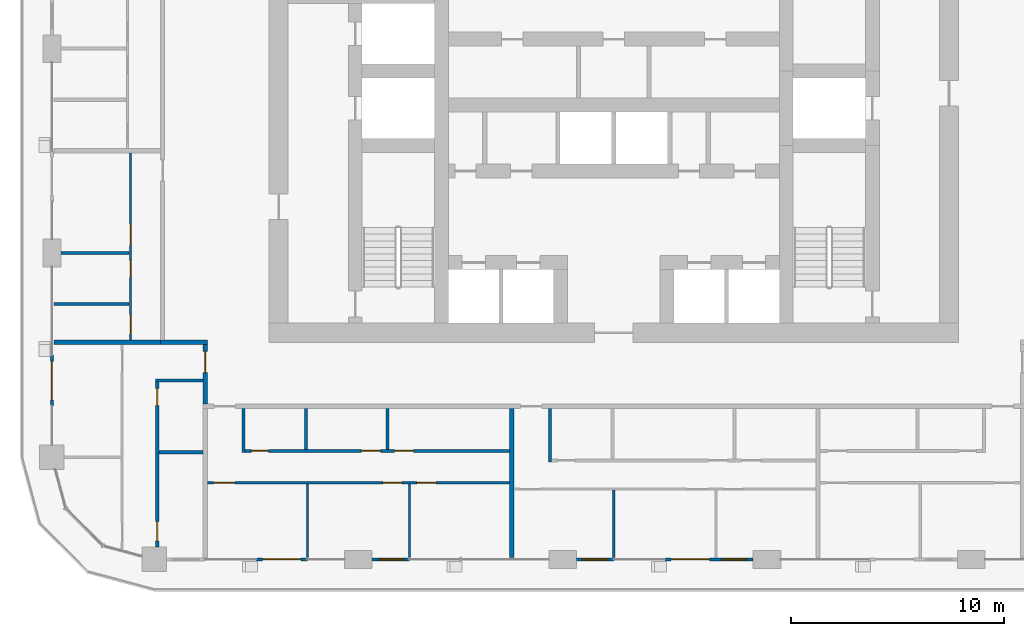
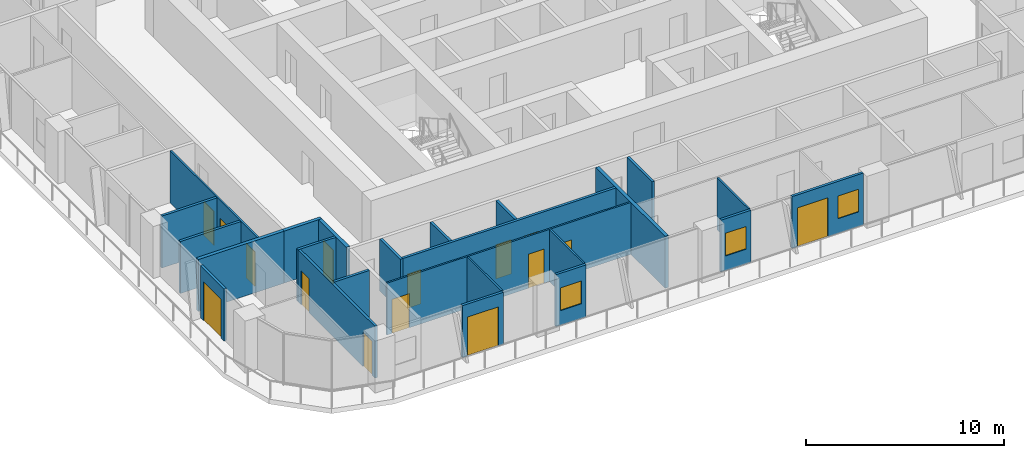
# One storey, part 9 of 22: 24 walls, 15 doors, 3 windows, 18 openings.
"""IFC4 building model written with IfcOpenShell, lengths in metres."""

from ifc_helpers import new_model, si_unit, direction, frame, frame_2d, origin, place, context, subcontext, project, spatial, rectangle, extrude, material, layer, layer_set, type_object, element, fill, save


model = new_model("IFC4")

# Units and contexts
model_context = context("Model", 3, precision=1e-05, world=origin(), true_north=direction((0.0, 1.0)))
body_context = subcontext(model_context, "Body", "Model", "MODEL_VIEW")
ifc_project = project(units=[si_unit("LENGTHUNIT", "METRE"), si_unit("AREAUNIT", "SQUARE_METRE"), si_unit("VOLUMEUNIT", "CUBIC_METRE"), si_unit("PLANEANGLEUNIT", "RADIAN"), si_unit("MASSUNIT", "GRAM", prefix="KILO")], contexts=[model_context])

# Site, building, storey
site_placement = place(None, origin())
site = spatial("IfcSite", under=ifc_project, at=site_placement, CompositionType="ELEMENT")
building_placement = place(site_placement, origin())
building = spatial("IfcBuilding", under=site, at=building_placement, Name="Madar Terraces", CompositionType="ELEMENT")
storey_placement = place(building_placement, frame((0.0, 0.0, 99.699951171875)))
storey = spatial("IfcBuildingStorey", under=building, at=storey_placement, Name="L25", CompositionType="ELEMENT", Elevation=99.699951171875)

# Wall, opening, door
ifc_material_1 = material(Name="Aluminium composite panel, black, over insulated backing", Category="aluminium")
ifc_layer_1 = layer(ifc_material_1, 0.14990234375)
ifc_layer_set_1 = layer_set([ifc_layer_1], Name="Facade bay panel 150")
wall_type_1 = type_object("IfcWallType", Name="Facade bay panel 150", PredefinedType="SOLIDWALL", material=ifc_layer_set_1)
wall_1_placement = place(storey_placement, frame((14.39990234375, 4.800048828125, 0.0), z_axis=(0.0, 0.0, 1.0), x_axis=(1.0, 0.0, 0.0)))
wall_1 = element("IfcWall", 1, at=wall_1_placement, inside=storey, type_object=wall_type_1, Name="Facade bay panel", PredefinedType="SOLIDWALL", context=body_context, shape_type="SweptSolid", body=[
    extrude(rectangle(XDim=2.400146484375, YDim=0.14990234375, at=frame_2d((1.2001953125, 0.0))), origin(), (0.0, 0.0, 1.0), 3.199951171875),
])
opening_1_placement = place(wall_1_placement, frame((0.300048828125, 0.0, 0.0)))
opening_1 = element("IfcOpeningElement", 2, at=opening_1_placement, cuts=wall_1, Name="Opening ED1", PredefinedType="OPENING", context=body_context, shape_type="SweptSolid", body=[
    extrude(rectangle(XDim=1.800048828125, YDim=2.39990234375, at=frame_2d((0.89990234375, 1.199951171875))), frame((0.0, 0.0849609375, 0.0), z_axis=(0.0, -1.0, 0.0), x_axis=(1.0, 0.0, 0.0)), (0.0, 0.0, 1.0), 0.169921875),
])
ifc_material_2 = material(Name="Glass, clear, with black aluminium frame", Category="aluminium")
door_type_1 = type_object("IfcDoorType", Name="Balcony and terrace sliding door 1800 x 2400", OperationType="SLIDING_TO_LEFT", PredefinedType="DOOR", material=ifc_material_2)
door_1_placement = place(opening_1_placement, origin())
door_1 = element("IfcDoor", 3, at=door_1_placement, inside=storey, type_object=door_type_1, Name="Balcony door", OperationType="SLIDING_TO_LEFT", OverallHeight=2.39990234375, OverallWidth=1.800048828125, PredefinedType="DOOR", context=body_context, shape_type="SweptSolid", body=[
    extrude(rectangle(XDim=1.800048828125, YDim=2.39990234375, at=frame_2d((0.89990234375, 1.199951171875))), frame((0.0, 0.02490234375, 0.0), z_axis=(0.0, -1.0, 0.0), x_axis=(1.0, 0.0, 0.0)), (0.0, 0.0, 1.0), 0.050048828125),
])
fill(opening_1, door_1)

# Wall, opening, window
wall_2_placement = place(storey_placement, frame((19.85009765625, 4.800048828125, 0.0), z_axis=(0.0, 0.0, 1.0), x_axis=(1.0, 0.0, 0.0)))
wall_2 = element("IfcWall", 4, at=wall_2_placement, inside=storey, type_object=wall_type_1, Name="Facade bay panel", PredefinedType="SOLIDWALL", context=body_context, shape_type="SweptSolid", body=[
    extrude(rectangle(XDim=1.75, YDim=0.14990234375, at=frame_2d((0.875, 0.0))), origin(), (0.0, 0.0, 1.0), 3.199951171875),
])
opening_2_placement = place(wall_2_placement, frame((0.27490234375, 0.0, 0.89990234375)))
opening_2 = element("IfcOpeningElement", 5, at=opening_2_placement, cuts=wall_2, Name="Opening W1", PredefinedType="OPENING", context=body_context, shape_type="SweptSolid", body=[
    extrude(rectangle(XDim=1.199951171875, YDim=1.39990234375, at=frame_2d((0.60009765625, 0.699951171875))), frame((0.0, 0.0849609375, 0.0), z_axis=(0.0, -1.0, 0.0), x_axis=(1.0, 0.0, 0.0)), (0.0, 0.0, 1.0), 0.169921875),
])
ifc_material_3 = material(Name="Glass, clear, with black aluminium frame", Category="aluminium")
window_type = type_object("IfcWindowType", Name="Vent window 1200 x 1400", PartitioningType="SINGLE_PANEL", PredefinedType="WINDOW", material=ifc_material_3)
window_1_placement = place(opening_2_placement, origin())
window_1 = element("IfcWindow", 6, at=window_1_placement, inside=storey, type_object=window_type, Name="Operable vent window", OverallHeight=1.39990234375, OverallWidth=1.199951171875, PartitioningType="SINGLE_PANEL", PredefinedType="WINDOW", context=body_context, shape_type="SweptSolid", body=[
    extrude(rectangle(XDim=1.199951171875, YDim=1.39990234375, at=frame_2d((0.60009765625, 0.699951171875))), frame((0.0, 0.030029296875, 0.0), z_axis=(0.0, -1.0, 0.0), x_axis=(1.0, 0.0, 0.0)), (0.0, 0.0, 1.0), 0.06005859375),
])
fill(opening_2, window_1)

wall_3_placement = place(storey_placement, frame((29.449951171875, 4.800048828125, 0.0), z_axis=(0.0, 0.0, 1.0), x_axis=(1.0, 0.0, 0.0)))
wall_3 = element("IfcWall", 7, at=wall_3_placement, inside=storey, type_object=wall_type_1, Name="Facade bay panel", PredefinedType="SOLIDWALL", context=body_context, shape_type="SweptSolid", body=[
    extrude(rectangle(XDim=1.75, YDim=0.14990234375, at=frame_2d((0.875, 0.0))), origin(), (0.0, 0.0, 1.0), 3.199951171875),
])
opening_3_placement = place(wall_3_placement, frame((0.27490234375, 0.0, 0.89990234375)))
opening_3 = element("IfcOpeningElement", 8, at=opening_3_placement, cuts=wall_3, Name="Opening W1", PredefinedType="OPENING", context=body_context, shape_type="SweptSolid", body=[
    extrude(rectangle(XDim=1.199951171875, YDim=1.39990234375, at=frame_2d((0.60009765625, 0.699951171875))), frame((0.0, 0.0849609375, 0.0), z_axis=(0.0, -1.0, 0.0), x_axis=(1.0, 0.0, 0.0)), (0.0, 0.0, 1.0), 0.169921875),
])
window_2_placement = place(opening_3_placement, origin())
window_2 = element("IfcWindow", 9, at=window_2_placement, inside=storey, type_object=window_type, Name="Operable vent window", OverallHeight=1.39990234375, OverallWidth=1.199951171875, PartitioningType="SINGLE_PANEL", PredefinedType="WINDOW", context=body_context, shape_type="SweptSolid", body=[
    extrude(rectangle(XDim=1.199951171875, YDim=1.39990234375, at=frame_2d((0.60009765625, 0.699951171875))), frame((0.0, 0.030029296875, 0.0), z_axis=(0.0, -1.0, 0.0), x_axis=(1.0, 0.0, 0.0)), (0.0, 0.0, 1.0), 0.06005859375),
])
fill(opening_3, window_2)

# Wall, openings, door, window
wall_4_placement = place(storey_placement, frame((33.60009765625, 4.800048828125, 0.0), z_axis=(0.0, 0.0, 1.0), x_axis=(1.0, 0.0, 0.0)))
wall_4 = element("IfcWall", 10, at=wall_4_placement, inside=storey, type_object=wall_type_1, Name="Facade bay panel", PredefinedType="SOLIDWALL", context=body_context, shape_type="SweptSolid", body=[
    extrude(rectangle(XDim=4.14990234375, YDim=0.14990234375, at=frame_2d((2.074951171875, 0.0))), origin(), (0.0, 0.0, 1.0), 3.199951171875),
])
opening_4_placement = place(wall_4_placement, frame((0.300048828125, 0.0, 0.0)))
opening_4 = element("IfcOpeningElement", 11, at=opening_4_placement, cuts=wall_4, Name="Opening ED1", PredefinedType="OPENING", context=body_context, shape_type="SweptSolid", body=[
    extrude(rectangle(XDim=1.800048828125, YDim=2.39990234375, at=frame_2d((0.89990234375, 1.199951171875))), frame((0.0, 0.0849609375, 0.0), z_axis=(0.0, -1.0, 0.0), x_axis=(1.0, 0.0, 0.0)), (0.0, 0.0, 1.0), 0.169921875),
])
opening_5_placement = place(wall_4_placement, frame((2.675048828125, 0.0, 0.89990234375)))
opening_5 = element("IfcOpeningElement", 12, at=opening_5_placement, cuts=wall_4, Name="Opening W1", PredefinedType="OPENING", context=body_context, shape_type="SweptSolid", body=[
    extrude(rectangle(XDim=1.199951171875, YDim=1.39990234375, at=frame_2d((0.60009765625, 0.699951171875))), frame((0.0, 0.0849609375, 0.0), z_axis=(0.0, -1.0, 0.0), x_axis=(1.0, 0.0, 0.0)), (0.0, 0.0, 1.0), 0.169921875),
])
door_2_placement = place(opening_4_placement, origin())
door_2 = element("IfcDoor", 13, at=door_2_placement, inside=storey, type_object=door_type_1, Name="Balcony door", OperationType="SLIDING_TO_RIGHT", OverallHeight=2.39990234375, OverallWidth=1.800048828125, PredefinedType="DOOR", context=body_context, shape_type="SweptSolid", body=[
    extrude(rectangle(XDim=1.800048828125, YDim=2.39990234375, at=frame_2d((0.89990234375, 1.199951171875))), frame((0.0, 0.02490234375, 0.0), z_axis=(0.0, -1.0, 0.0), x_axis=(1.0, 0.0, 0.0)), (0.0, 0.0, 1.0), 0.050048828125),
])
fill(opening_4, door_2)
window_3_placement = place(opening_5_placement, origin())
window_3 = element("IfcWindow", 14, at=window_3_placement, inside=storey, type_object=window_type, Name="Operable vent window", OverallHeight=1.39990234375, OverallWidth=1.199951171875, PartitioningType="SINGLE_PANEL", PredefinedType="WINDOW", context=body_context, shape_type="SweptSolid", body=[
    extrude(rectangle(XDim=1.199951171875, YDim=1.39990234375, at=frame_2d((0.60009765625, 0.699951171875))), frame((0.0, 0.030029296875, 0.0), z_axis=(0.0, -1.0, 0.0), x_axis=(1.0, 0.0, 0.0)), (0.0, 0.0, 1.0), 0.06005859375),
])
fill(opening_5, window_3)

# Wall, opening, door
wall_5_placement = place(storey_placement, frame((4.800048828125, 14.39990234375, 0.0), z_axis=(0.0, 0.0, 1.0), x_axis=(0.0, -1.0, 0.0)))
wall_5 = element("IfcWall", 15, at=wall_5_placement, inside=storey, type_object=wall_type_1, Name="Facade bay panel", PredefinedType="SOLIDWALL", context=body_context, shape_type="SweptSolid", body=[
    extrude(rectangle(XDim=2.39990234375, YDim=0.14990234375, at=frame_2d((1.199951171875, 0.0))), origin(), (0.0, 0.0, 1.0), 3.199951171875),
])
opening_6_placement = place(wall_5_placement, frame((0.300048828125, 0.0, 0.0)))
opening_6 = element("IfcOpeningElement", 16, at=opening_6_placement, cuts=wall_5, Name="Opening ED1", PredefinedType="OPENING", context=body_context, shape_type="SweptSolid", body=[
    extrude(rectangle(XDim=1.800048828125, YDim=2.39990234375, at=frame_2d((0.89990234375, 1.199951171875))), frame((0.0, 0.0849609375, 0.0), z_axis=(0.0, -1.0, 0.0), x_axis=(1.0, 0.0, 0.0)), (0.0, 0.0, 1.0), 0.169921875),
])
door_3_placement = place(opening_6_placement, origin())
door_3 = element("IfcDoor", 17, at=door_3_placement, inside=storey, type_object=door_type_1, Name="Balcony door", OperationType="SLIDING_TO_RIGHT", OverallHeight=2.39990234375, OverallWidth=1.800048828125, PredefinedType="DOOR", context=body_context, shape_type="SweptSolid", body=[
    extrude(rectangle(XDim=1.800048828125, YDim=2.39990234375, at=frame_2d((0.89990234375, 1.199951171875))), frame((0.0, 0.02490234375, 0.0), z_axis=(0.0, -1.0, 0.0), x_axis=(1.0, 0.0, 0.0)), (0.0, 0.0, 1.0), 0.050048828125),
])
fill(opening_6, door_3)

# Walls
ifc_material_4 = material(Name="Gypsum board on steel studs", Category="steel")
ifc_layer_2 = layer(ifc_material_4, 0.10009765625)
ifc_layer_set_2 = layer_set([ifc_layer_2], Name="Flat partition 100")
wall_type_2 = type_object("IfcWallType", Name="Flat partition 100", PredefinedType="PARTITIONING", material=ifc_layer_set_2)
for number, where, z_axis, x_axis, name in (
    (18, (16.800048828125, 8.35009765625, 0.0), (0.0, 0.0, 1.0), (0.0, -1.0, 0.0), "Flat partition 100"),
    (19, (21.60009765625, 8.35009765625, 0.0), (0.0, 0.0, 1.0), (0.0, -1.0, 0.0), "Flat partition 100"),
):
    element("IfcWall", number, at=place(storey_placement, frame(where, z_axis=z_axis, x_axis=x_axis)), inside=storey, type_object=wall_type_2, Name=name, PredefinedType="PARTITIONING", context=body_context, shape_type="SweptSolid", body=[
        extrude(rectangle(XDim=3.4501953125, YDim=0.10009765625, at=frame_2d((1.72509765625, 0.0))), origin(), (0.0, 0.0, 1.0), 3.199951171875),
    ])

# Wall, openings, doors
wall_6_placement = place(storey_placement, frame((26.300048828125, 8.39990234375, 0.0), z_axis=(0.0, 0.0, 1.0), x_axis=(-1.0, 0.0, 0.0)))
wall_6 = element("IfcWall", 20, at=wall_6_placement, inside=storey, type_object=wall_type_2, Name="Flat partition 100", PredefinedType="PARTITIONING", context=body_context, shape_type="SweptSolid", body=[
    extrude(rectangle(XDim=14.199951171875, YDim=0.10009765625, at=frame_2d((7.10009765625, 0.0))), origin(), (0.0, 0.0, 1.0), 3.199951171875),
])
opening_7_placement = place(wall_6_placement, frame((12.89990234375, 0.0, 0.0)))
opening_7 = element("IfcOpeningElement", 21, at=opening_7_placement, cuts=wall_6, Name="Opening D3", PredefinedType="OPENING", context=body_context, shape_type="SweptSolid", body=[
    extrude(rectangle(XDim=1.0, YDim=2.10009765625, at=frame_2d((0.5, 1.050048828125))), frame((0.0, 0.06005859375, 0.0), z_axis=(0.0, -1.0, 0.0), x_axis=(1.0, 0.0, 0.0)), (0.0, 0.0, 1.0), 0.1201171875),
])
opening_8_placement = place(wall_6_placement, frame((5.050048828125, 0.0, 0.0)))
opening_8 = element("IfcOpeningElement", 22, at=opening_8_placement, cuts=wall_6, Name="Opening D2", PredefinedType="OPENING", context=body_context, shape_type="SweptSolid", body=[
    extrude(rectangle(XDim=0.89990234375, YDim=2.10009765625, at=frame_2d((0.449951171875, 1.050048828125))), frame((0.0, 0.06005859375, 0.0), z_axis=(0.0, -1.0, 0.0), x_axis=(1.0, 0.0, 0.0)), (0.0, 0.0, 1.0), 0.1201171875),
])
opening_9_placement = place(wall_6_placement, frame((3.449951171875, 0.0, 0.0)))
opening_9 = element("IfcOpeningElement", 23, at=opening_9_placement, cuts=wall_6, Name="Opening D2", PredefinedType="OPENING", context=body_context, shape_type="SweptSolid", body=[
    extrude(rectangle(XDim=0.89990234375, YDim=2.10009765625, at=frame_2d((0.449951171875, 1.050048828125))), frame((0.0, 0.06005859375, 0.0), z_axis=(0.0, -1.0, 0.0), x_axis=(1.0, 0.0, 0.0)), (0.0, 0.0, 1.0), 0.1201171875),
])
ifc_material_5 = material(Name="Timber door leaf", Category="wood")
door_type_2 = type_object("IfcDoorType", Name="Flat living room door 1000", OperationType="NOTDEFINED", PredefinedType="DOOR", material=ifc_material_5)
door_4_placement = place(opening_7_placement, origin())
door_4 = element("IfcDoor", 24, at=door_4_placement, inside=storey, type_object=door_type_2, Name="Flat living room door 1000", OperationType="SINGLE_SWING_RIGHT", OverallHeight=2.10009765625, OverallWidth=1.0, PredefinedType="DOOR", context=body_context, shape_type="SweptSolid", body=[
    extrude(rectangle(XDim=1.0, YDim=2.10009765625, at=frame_2d((0.5, 1.050048828125))), frame((0.0, 0.02490234375, 0.0), z_axis=(0.0, -1.0, 0.0), x_axis=(1.0, 0.0, 0.0)), (0.0, 0.0, 1.0), 0.050048828125),
])
fill(opening_7, door_4)
ifc_material_6 = material(Name="Timber door leaf", Category="wood")
door_type_3 = type_object("IfcDoorType", Name="Flat room door 900", OperationType="NOTDEFINED", PredefinedType="DOOR", material=ifc_material_6)
door_5_placement = place(opening_8_placement, origin())
door_5 = element("IfcDoor", 25, at=door_5_placement, inside=storey, type_object=door_type_3, Name="Flat room door 900", OperationType="SINGLE_SWING_LEFT", OverallHeight=2.10009765625, OverallWidth=0.89990234375, PredefinedType="DOOR", context=body_context, shape_type="SweptSolid", body=[
    extrude(rectangle(XDim=0.89990234375, YDim=2.10009765625, at=frame_2d((0.449951171875, 1.050048828125))), frame((0.0, 0.02490234375, 0.0), z_axis=(0.0, -1.0, 0.0), x_axis=(1.0, 0.0, 0.0)), (0.0, 0.0, 1.0), 0.050048828125),
])
fill(opening_8, door_5)
door_6_placement = place(opening_9_placement, origin())
door_6 = element("IfcDoor", 26, at=door_6_placement, inside=storey, type_object=door_type_3, Name="Flat room door 900", OperationType="SINGLE_SWING_RIGHT", OverallHeight=2.10009765625, OverallWidth=0.89990234375, PredefinedType="DOOR", context=body_context, shape_type="SweptSolid", body=[
    extrude(rectangle(XDim=0.89990234375, YDim=2.10009765625, at=frame_2d((0.449951171875, 1.050048828125))), frame((0.0, 0.02490234375, 0.0), z_axis=(0.0, -1.0, 0.0), x_axis=(1.0, 0.0, 0.0)), (0.0, 0.0, 1.0), 0.050048828125),
])
fill(opening_9, door_6)

# Wall
wall_7_placement = place(storey_placement, frame((31.199951171875, 8.050048828125, 0.0), z_axis=(0.0, 0.0, 1.0), x_axis=(0.0, -1.0, 0.0)))
element("IfcWall", 27, at=wall_7_placement, inside=storey, type_object=wall_type_2, Name="Flat partition 100", PredefinedType="PARTITIONING", context=body_context, shape_type="SweptSolid", body=[
    extrude(rectangle(XDim=3.150146484375, YDim=0.10009765625, at=frame_2d((1.5751953125, 0.0))), origin(), (0.0, 0.0, 1.0), 3.199951171875),
])

# Wall, openings, doors
wall_8_placement = place(storey_placement, frame((8.5, 15.10009765625, 0.0), z_axis=(0.0, 0.0, 1.0), x_axis=(0.0, 1.0, 0.0)))
wall_8 = element("IfcWall", 28, at=wall_8_placement, inside=storey, type_object=wall_type_2, Name="Flat partition 100", PredefinedType="PARTITIONING", context=body_context, shape_type="SweptSolid", body=[
    extrude(rectangle(XDim=8.7998046875, YDim=0.10009765625, at=frame_2d((4.39990234375, 0.0))), origin(), (0.0, 0.0, 1.0), 3.199951171875),
])
opening_10_placement = place(wall_8_placement, frame((4.449951171875, 0.0, 0.0)))
opening_10 = element("IfcOpeningElement", 29, at=opening_10_placement, cuts=wall_8, Name="Opening D3", PredefinedType="OPENING", context=body_context, shape_type="SweptSolid", body=[
    extrude(rectangle(XDim=1.0, YDim=2.10009765625, at=frame_2d((0.5, 1.050048828125))), frame((0.0, 0.06005859375, 0.0), z_axis=(0.0, -1.0, 0.0), x_axis=(1.0, 0.0, 0.0)), (0.0, 0.0, 1.0), 0.1201171875),
])
opening_11_placement = place(wall_8_placement, frame((2.949951171875, 0.0, 0.0)))
opening_11 = element("IfcOpeningElement", 30, at=opening_11_placement, cuts=wall_8, Name="Opening D4", PredefinedType="OPENING", context=body_context, shape_type="SweptSolid", body=[
    extrude(rectangle(XDim=0.800048828125, YDim=2.10009765625, at=frame_2d((0.39990234375, 1.050048828125))), frame((0.0, 0.06005859375, 0.0), z_axis=(0.0, -1.0, 0.0), x_axis=(1.0, 0.0, 0.0)), (0.0, 0.0, 1.0), 0.1201171875),
])
opening_12_placement = place(wall_8_placement, frame((0.300048828125, 0.0, 0.0)))
opening_12 = element("IfcOpeningElement", 31, at=opening_12_placement, cuts=wall_8, Name="Opening D2", PredefinedType="OPENING", context=body_context, shape_type="SweptSolid", body=[
    extrude(rectangle(XDim=0.89990234375, YDim=2.10009765625, at=frame_2d((0.449951171875, 1.050048828125))), frame((0.0, 0.06005859375, 0.0), z_axis=(0.0, -1.0, 0.0), x_axis=(1.0, 0.0, 0.0)), (0.0, 0.0, 1.0), 0.1201171875),
])
ifc_material_7 = material(Name="Timber door leaf", Category="wood")
door_type_4 = type_object("IfcDoorType", Name="Flat bathroom door 800", OperationType="NOTDEFINED", PredefinedType="DOOR", material=ifc_material_7)
door_7_placement = place(opening_11_placement, origin())
door_7 = element("IfcDoor", 32, at=door_7_placement, inside=storey, type_object=door_type_4, Name="Flat bathroom door 800", OperationType="SINGLE_SWING_RIGHT", OverallHeight=2.10009765625, OverallWidth=0.800048828125, PredefinedType="DOOR", context=body_context, shape_type="SweptSolid", body=[
    extrude(rectangle(XDim=0.800048828125, YDim=2.10009765625, at=frame_2d((0.39990234375, 1.050048828125))), frame((0.0, 0.02490234375, 0.0), z_axis=(0.0, -1.0, 0.0), x_axis=(1.0, 0.0, 0.0)), (0.0, 0.0, 1.0), 0.050048828125),
])
fill(opening_11, door_7)
door_8_placement = place(opening_10_placement, origin())
door_8 = element("IfcDoor", 33, at=door_8_placement, inside=storey, type_object=door_type_2, Name="Flat living room door 1000", OperationType="SINGLE_SWING_LEFT", OverallHeight=2.10009765625, OverallWidth=1.0, PredefinedType="DOOR", context=body_context, shape_type="SweptSolid", body=[
    extrude(rectangle(XDim=1.0, YDim=2.10009765625, at=frame_2d((0.5, 1.050048828125))), frame((0.0, 0.02490234375, 0.0), z_axis=(0.0, -1.0, 0.0), x_axis=(1.0, 0.0, 0.0)), (0.0, 0.0, 1.0), 0.050048828125),
])
fill(opening_10, door_8)
door_9_placement = place(opening_12_placement, origin())
door_9 = element("IfcDoor", 34, at=door_9_placement, inside=storey, type_object=door_type_3, Name="Flat room door 900", OperationType="SINGLE_SWING_LEFT", OverallHeight=2.10009765625, OverallWidth=0.89990234375, PredefinedType="DOOR", context=body_context, shape_type="SweptSolid", body=[
    extrude(rectangle(XDim=0.89990234375, YDim=2.10009765625, at=frame_2d((0.449951171875, 1.050048828125))), frame((0.0, 0.02490234375, 0.0), z_axis=(0.0, -1.0, 0.0), x_axis=(1.0, 0.0, 0.0)), (0.0, 0.0, 1.0), 0.050048828125),
])
fill(opening_12, door_9)

# Wall
ifc_material_8 = material(Name="Lightweight blockwork", Category="masonry")
ifc_layer_3 = layer(ifc_material_8, 0.199951171875)
ifc_layer_set_3 = layer_set([ifc_layer_3], Name="Flat party and entrance wall 200")
wall_type_3 = type_object("IfcWallType", Name="Flat party and entrance wall 200", PredefinedType="PARTITIONING", material=ifc_layer_set_3)
wall_9_placement = place(storey_placement, frame((9.89990234375, 15.0, 0.0), z_axis=(0.0, 0.0, 1.0), x_axis=(1.0, 0.0, 0.0)))
element("IfcWall", 35, at=wall_9_placement, inside=storey, type_object=wall_type_3, Name="Flat party and entrance wall 200", PredefinedType="PARTITIONING", context=body_context, shape_type="SweptSolid", body=[
    extrude(rectangle(XDim=2.2001953125, YDim=0.199951171875, at=frame_2d((1.10009765625, 0.0))), origin(), (0.0, 0.0, 1.0), 3.199951171875),
])

# Wall, opening, door
wall_10_placement = place(storey_placement, frame((12.0, 12.10009765625, 0.0), z_axis=(0.0, 0.0, 1.0), x_axis=(0.0, 1.0, 0.0)))
wall_10 = element("IfcWall", 36, at=wall_10_placement, inside=storey, type_object=wall_type_3, Name="Flat party and entrance wall 200", PredefinedType="PARTITIONING", context=body_context, shape_type="SweptSolid", body=[
    extrude(rectangle(XDim=2.7998046875, YDim=0.199951171875, at=frame_2d((1.39990234375, 0.0))), origin(), (0.0, 0.0, 1.0), 3.199951171875),
])
opening_13_placement = place(wall_10_placement, frame((1.47509765625, 0.0, 0.0)))
opening_13 = element("IfcOpeningElement", 37, at=opening_13_placement, cuts=wall_10, Name="Opening D1", PredefinedType="OPENING", context=body_context, shape_type="SweptSolid", body=[
    extrude(rectangle(XDim=1.0, YDim=2.10009765625, at=frame_2d((0.5, 1.050048828125))), frame((0.0, 0.10986328125, 0.0), z_axis=(0.0, -1.0, 0.0), x_axis=(1.0, 0.0, 0.0)), (0.0, 0.0, 1.0), 0.219970703125),
])
ifc_material_9 = material(Name="Timber fire door leaf", Category="wood")
door_type_5 = type_object("IfcDoorType", Name="Flat entrance door 1000 FD30S", OperationType="NOTDEFINED", PredefinedType="DOOR", material=ifc_material_9)
door_10_placement = place(opening_13_placement, origin())
door_10 = element("IfcDoor", 38, at=door_10_placement, inside=storey, type_object=door_type_5, Name="Flat entrance door 1000 FD30S", OperationType="SINGLE_SWING_RIGHT", OverallHeight=2.10009765625, OverallWidth=1.0, PredefinedType="DOOR", context=body_context, shape_type="SweptSolid", body=[
    extrude(rectangle(XDim=1.0, YDim=2.10009765625, at=frame_2d((0.5, 1.050048828125))), frame((0.0, 0.02490234375, 0.0), z_axis=(0.0, -1.0, 0.0), x_axis=(1.0, 0.0, 0.0)), (0.0, 0.0, 1.0), 0.050048828125),
])
fill(opening_13, door_10)

# Walls
wall_11_placement = place(storey_placement, frame((26.39990234375, 11.89990234375, 0.0), z_axis=(0.0, 0.0, 1.0), x_axis=(0.0, -1.0, 0.0)))
element("IfcWall", 39, at=wall_11_placement, inside=storey, type_object=wall_type_3, Name="Flat party and entrance wall 200", PredefinedType="PARTITIONING", context=body_context, shape_type="SweptSolid", body=[
    extrude(rectangle(XDim=7.0, YDim=0.199951171875, at=frame_2d((3.5, 0.0))), origin(), (0.0, 0.0, 1.0), 3.199951171875),
])
wall_12_placement = place(storey_placement, frame((4.89990234375, 15.0, 0.0), z_axis=(0.0, 0.0, 1.0), x_axis=(1.0, 0.0, 0.0)))
element("IfcWall", 40, at=wall_12_placement, inside=storey, type_object=wall_type_3, Name="Flat party and entrance wall 200", PredefinedType="PARTITIONING", context=body_context, shape_type="SweptSolid", body=[
    extrude(rectangle(XDim=5.0, YDim=0.199951171875, at=frame_2d((2.5, 0.0))), origin(), (0.0, 0.0, 1.0), 3.199951171875),
])
ifc_material_10 = material(Name="Lightweight blockwork", Category="masonry")
ifc_layer_4 = layer(ifc_material_10, 0.14990234375)
ifc_layer_set_4 = layer_set([ifc_layer_4], Name="Flat wet-room partition 150")
wall_type_4 = type_object("IfcWallType", Name="Flat wet-room partition 150", PredefinedType="PARTITIONING", material=ifc_layer_set_4)
for number, where, z_axis, x_axis, name in (
    (41, (16.7421875, 11.89990234375, 0.0), (0.0, 0.0, 1.0), (0.0, -1.0, 0.0), "Flat wet-room partition 150"),
    (42, (20.5654296875, 11.89990234375, 0.0), (0.0, 0.0, 1.0), (0.0, -1.0, 0.0), "Flat wet-room partition 150"),
):
    element("IfcWall", number, at=place(storey_placement, frame(where, z_axis=z_axis, x_axis=x_axis)), inside=storey, type_object=wall_type_4, Name=name, PredefinedType="PARTITIONING", context=body_context, shape_type="SweptSolid", body=[
        extrude(rectangle(XDim=1.9248046875, YDim=0.14990234375, at=frame_2d((0.96240234375, 0.0))), origin(), (0.0, 0.0, 1.0), 3.199951171875),
    ])
wall_13_placement = place(storey_placement, frame((13.800048828125, 11.89990234375, 0.0), z_axis=(0.0, 0.0, 1.0), x_axis=(0.0, -1.0, 0.0)))
element("IfcWall", 43, at=wall_13_placement, inside=storey, type_object=wall_type_4, Name="Flat wet-room partition 150", PredefinedType="PARTITIONING", context=body_context, shape_type="SweptSolid", body=[
    extrude(rectangle(XDim=2.074951171875, YDim=0.14990234375, at=frame_2d((1.03759765625, 0.0))), origin(), (0.0, 0.0, 1.0), 3.199951171875),
])

# Wall, openings, doors
wall_14_placement = place(storey_placement, frame((13.875, 9.89990234375, 0.0), z_axis=(0.0, 0.0, 1.0), x_axis=(1.0, 0.0, 0.0)))
wall_14 = element("IfcWall", 44, at=wall_14_placement, inside=storey, type_object=wall_type_4, Name="Flat wet-room partition 150", PredefinedType="PARTITIONING", context=body_context, shape_type="SweptSolid", body=[
    extrude(rectangle(XDim=12.425048828125, YDim=0.14990234375, at=frame_2d((6.21240234375, 0.0))), origin(), (0.0, 0.0, 1.0), 3.199951171875),
])
opening_14_placement = place(wall_14_placement, frame((0.300048828125, 0.0, 0.0)))
opening_14 = element("IfcOpeningElement", 45, at=opening_14_placement, cuts=wall_14, Name="Opening D4", PredefinedType="OPENING", context=body_context, shape_type="SweptSolid", body=[
    extrude(rectangle(XDim=0.800048828125, YDim=2.10009765625, at=frame_2d((0.39990234375, 1.050048828125))), frame((0.0, 0.0849609375, 0.0), z_axis=(0.0, -1.0, 0.0), x_axis=(1.0, 0.0, 0.0)), (0.0, 0.0, 1.0), 0.169921875),
])
opening_15_placement = place(wall_14_placement, frame((5.46533203125, 0.0, 0.0)))
opening_15 = element("IfcOpeningElement", 46, at=opening_15_placement, cuts=wall_14, Name="Opening D5", PredefinedType="OPENING", context=body_context, shape_type="SweptSolid", body=[
    extrude(rectangle(XDim=0.89990234375, YDim=2.10009765625, at=frame_2d((0.449951171875, 1.050048828125))), frame((0.0, 0.0849609375, 0.0), z_axis=(0.0, -1.0, 0.0), x_axis=(1.0, 0.0, 0.0)), (0.0, 0.0, 1.0), 0.169921875),
])
opening_16_placement = place(wall_14_placement, frame((7.015380859375, 0.0, 0.0)))
opening_16 = element("IfcOpeningElement", 47, at=opening_16_placement, cuts=wall_14, Name="Opening D2", PredefinedType="OPENING", context=body_context, shape_type="SweptSolid", body=[
    extrude(rectangle(XDim=0.89990234375, YDim=2.10009765625, at=frame_2d((0.449951171875, 1.050048828125))), frame((0.0, 0.0849609375, 0.0), z_axis=(0.0, -1.0, 0.0), x_axis=(1.0, 0.0, 0.0)), (0.0, 0.0, 1.0), 0.169921875),
])
ifc_material_11 = material(Name="Timber door leaf", Category="wood")
door_type_6 = type_object("IfcDoorType", Name="Flat accessible bathroom door 900", OperationType="NOTDEFINED", PredefinedType="DOOR", material=ifc_material_11)
door_11_placement = place(opening_15_placement, origin())
door_11 = element("IfcDoor", 48, at=door_11_placement, inside=storey, type_object=door_type_6, Name="Flat accessible bathroom door 900", OperationType="SINGLE_SWING_RIGHT", OverallHeight=2.10009765625, OverallWidth=0.89990234375, PredefinedType="DOOR", context=body_context, shape_type="SweptSolid", body=[
    extrude(rectangle(XDim=0.89990234375, YDim=2.10009765625, at=frame_2d((0.449951171875, 1.050048828125))), frame((0.0, 0.02490234375, 0.0), z_axis=(0.0, -1.0, 0.0), x_axis=(1.0, 0.0, 0.0)), (0.0, 0.0, 1.0), 0.050048828125),
])
fill(opening_15, door_11)
door_12_placement = place(opening_14_placement, origin())
door_12 = element("IfcDoor", 49, at=door_12_placement, inside=storey, type_object=door_type_4, Name="Flat bathroom door 800", OperationType="SINGLE_SWING_LEFT", OverallHeight=2.10009765625, OverallWidth=0.800048828125, PredefinedType="DOOR", context=body_context, shape_type="SweptSolid", body=[
    extrude(rectangle(XDim=0.800048828125, YDim=2.10009765625, at=frame_2d((0.39990234375, 1.050048828125))), frame((0.0, 0.02490234375, 0.0), z_axis=(0.0, -1.0, 0.0), x_axis=(1.0, 0.0, 0.0)), (0.0, 0.0, 1.0), 0.050048828125),
])
fill(opening_14, door_12)
door_13_placement = place(opening_16_placement, origin())
door_13 = element("IfcDoor", 50, at=door_13_placement, inside=storey, type_object=door_type_3, Name="Flat room door 900", OperationType="SINGLE_SWING_LEFT", OverallHeight=2.10009765625, OverallWidth=0.89990234375, PredefinedType="DOOR", context=body_context, shape_type="SweptSolid", body=[
    extrude(rectangle(XDim=0.89990234375, YDim=2.10009765625, at=frame_2d((0.449951171875, 1.050048828125))), frame((0.0, 0.02490234375, 0.0), z_axis=(0.0, -1.0, 0.0), x_axis=(1.0, 0.0, 0.0)), (0.0, 0.0, 1.0), 0.050048828125),
])
fill(opening_16, door_13)

# Walls
wall_15_placement = place(storey_placement, frame((28.199951171875, 11.89990234375, 0.0), z_axis=(0.0, 0.0, 1.0), x_axis=(0.0, -1.0, 0.0)))
element("IfcWall", 51, at=wall_15_placement, inside=storey, type_object=wall_type_4, Name="Flat wet-room partition 150", PredefinedType="PARTITIONING", context=body_context, shape_type="SweptSolid", body=[
    extrude(rectangle(XDim=2.52490234375, YDim=0.14990234375, at=frame_2d((1.262451171875, 0.0))), origin(), (0.0, 0.0, 1.0), 3.199951171875),
])
wall_16_placement = place(storey_placement, frame((8.425048828125, 19.199951171875, 0.0), z_axis=(0.0, 0.0, 1.0), x_axis=(-1.0, 0.0, 0.0)))
element("IfcWall", 52, at=wall_16_placement, inside=storey, type_object=wall_type_4, Name="Flat wet-room partition 150", PredefinedType="PARTITIONING", context=body_context, shape_type="SweptSolid", body=[
    extrude(rectangle(XDim=3.199951171875, YDim=0.14990234375, at=frame_2d((1.60009765625, 0.0))), origin(), (0.0, 0.0, 1.0), 3.199951171875),
])
wall_17_placement = place(storey_placement, frame((8.425048828125, 16.800048828125, 0.0), z_axis=(0.0, 0.0, 1.0), x_axis=(-1.0, 0.0, 0.0)))
element("IfcWall", 53, at=wall_17_placement, inside=storey, type_object=wall_type_4, Name="Flat wet-room partition 150", PredefinedType="PARTITIONING", context=body_context, shape_type="SweptSolid", body=[
    extrude(rectangle(XDim=3.525146484375, YDim=0.14990234375, at=frame_2d((1.7626953125, 0.0))), origin(), (0.0, 0.0, 1.0), 3.199951171875),
])
wall_18_placement = place(storey_placement, frame((11.89990234375, 9.8349609375, 0.0), z_axis=(0.0, 0.0, 1.0), x_axis=(-1.0, 0.0, 0.0)))
element("IfcWall", 54, at=wall_18_placement, inside=storey, type_object=wall_type_4, Name="Flat wet-room partition 150", PredefinedType="PARTITIONING", context=body_context, shape_type="SweptSolid", body=[
    extrude(rectangle(XDim=2.074951171875, YDim=0.14990234375, at=frame_2d((1.03759765625, 0.0))), origin(), (0.0, 0.0, 1.0), 3.199951171875),
])
wall_19_placement = place(storey_placement, frame((11.89990234375, 13.199951171875, 0.0), z_axis=(0.0, 0.0, 1.0), x_axis=(-1.0, 0.0, 0.0)))
element("IfcWall", 55, at=wall_19_placement, inside=storey, type_object=wall_type_4, Name="Flat wet-room partition 150", PredefinedType="PARTITIONING", context=body_context, shape_type="SweptSolid", body=[
    extrude(rectangle(XDim=2.224853515625, YDim=0.14990234375, at=frame_2d((1.1123046875, 0.0))), origin(), (0.0, 0.0, 1.0), 3.199951171875),
])

# Wall, openings, doors
wall_20_placement = place(storey_placement, frame((9.75, 13.125, 0.0), z_axis=(0.0, 0.0, 1.0), x_axis=(0.0, -1.0, 0.0)))
wall_20 = element("IfcWall", 56, at=wall_20_placement, inside=storey, type_object=wall_type_4, Name="Flat wet-room partition 150", PredefinedType="PARTITIONING", context=body_context, shape_type="SweptSolid", body=[
    extrude(rectangle(XDim=7.75, YDim=0.14990234375, at=frame_2d((3.875, 0.0))), origin(), (0.0, 0.0, 1.0), 3.199951171875),
])
opening_17_placement = place(wall_20_placement, frame((0.300048828125, 0.0, 0.0)))
opening_17 = element("IfcOpeningElement", 57, at=opening_17_placement, cuts=wall_20, Name="Opening D4", PredefinedType="OPENING", context=body_context, shape_type="SweptSolid", body=[
    extrude(rectangle(XDim=0.800048828125, YDim=2.10009765625, at=frame_2d((0.39990234375, 1.050048828125))), frame((0.0, 0.0849609375, 0.0), z_axis=(0.0, -1.0, 0.0), x_axis=(1.0, 0.0, 0.0)), (0.0, 0.0, 1.0), 0.169921875),
])
opening_18_placement = place(wall_20_placement, frame((6.550048828125, 0.0, 0.0)))
opening_18 = element("IfcOpeningElement", 58, at=opening_18_placement, cuts=wall_20, Name="Opening D2", PredefinedType="OPENING", context=body_context, shape_type="SweptSolid", body=[
    extrude(rectangle(XDim=0.89990234375, YDim=2.10009765625, at=frame_2d((0.449951171875, 1.050048828125))), frame((0.0, 0.0849609375, 0.0), z_axis=(0.0, -1.0, 0.0), x_axis=(1.0, 0.0, 0.0)), (0.0, 0.0, 1.0), 0.169921875),
])
door_14_placement = place(opening_17_placement, origin())
door_14 = element("IfcDoor", 59, at=door_14_placement, inside=storey, type_object=door_type_4, Name="Flat bathroom door 800", OperationType="SINGLE_SWING_LEFT", OverallHeight=2.10009765625, OverallWidth=0.800048828125, PredefinedType="DOOR", context=body_context, shape_type="SweptSolid", body=[
    extrude(rectangle(XDim=0.800048828125, YDim=2.10009765625, at=frame_2d((0.39990234375, 1.050048828125))), frame((0.0, 0.02490234375, 0.0), z_axis=(0.0, -1.0, 0.0), x_axis=(1.0, 0.0, 0.0)), (0.0, 0.0, 1.0), 0.050048828125),
])
fill(opening_17, door_14)
door_15_placement = place(opening_18_placement, origin())
door_15 = element("IfcDoor", 60, at=door_15_placement, inside=storey, type_object=door_type_3, Name="Flat room door 900", OperationType="SINGLE_SWING_RIGHT", OverallHeight=2.10009765625, OverallWidth=0.89990234375, PredefinedType="DOOR", context=body_context, shape_type="SweptSolid", body=[
    extrude(rectangle(XDim=0.89990234375, YDim=2.10009765625, at=frame_2d((0.449951171875, 1.050048828125))), frame((0.0, 0.02490234375, 0.0), z_axis=(0.0, -1.0, 0.0), x_axis=(1.0, 0.0, 0.0)), (0.0, 0.0, 1.0), 0.050048828125),
])
fill(opening_18, door_15)

save(model, "model.ifc")
